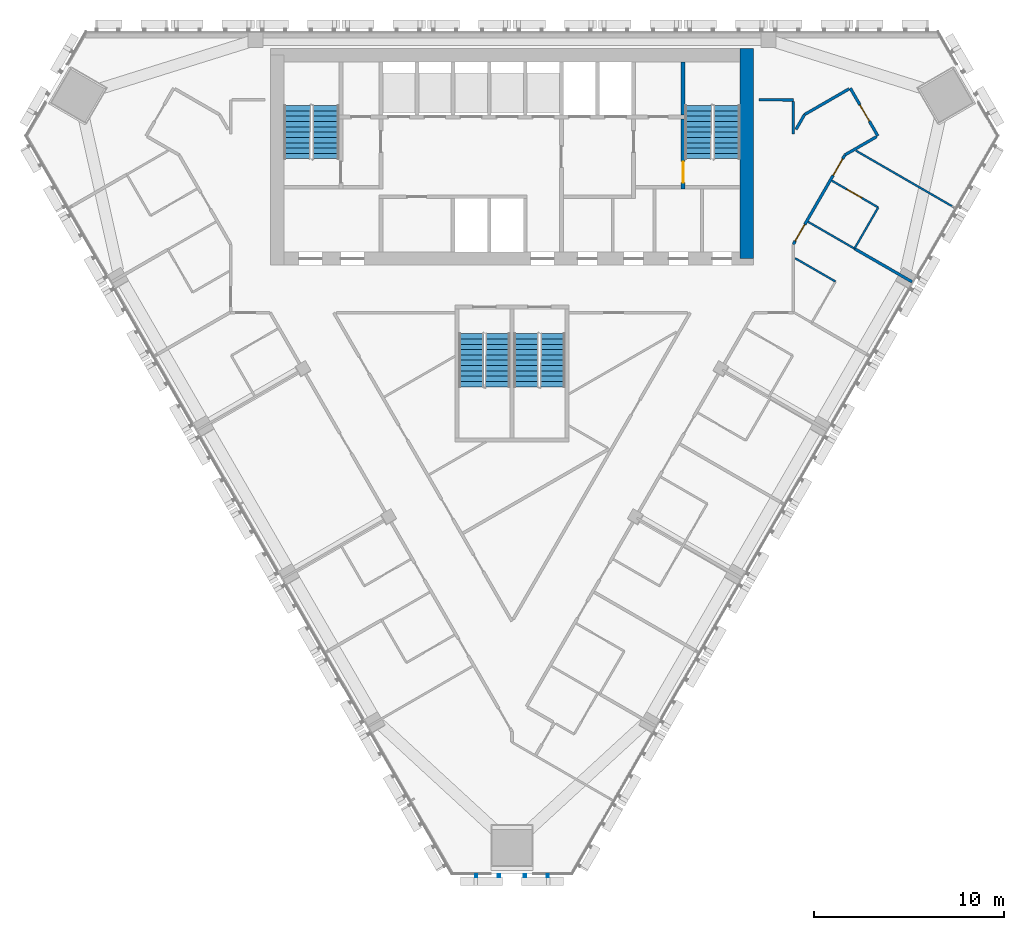
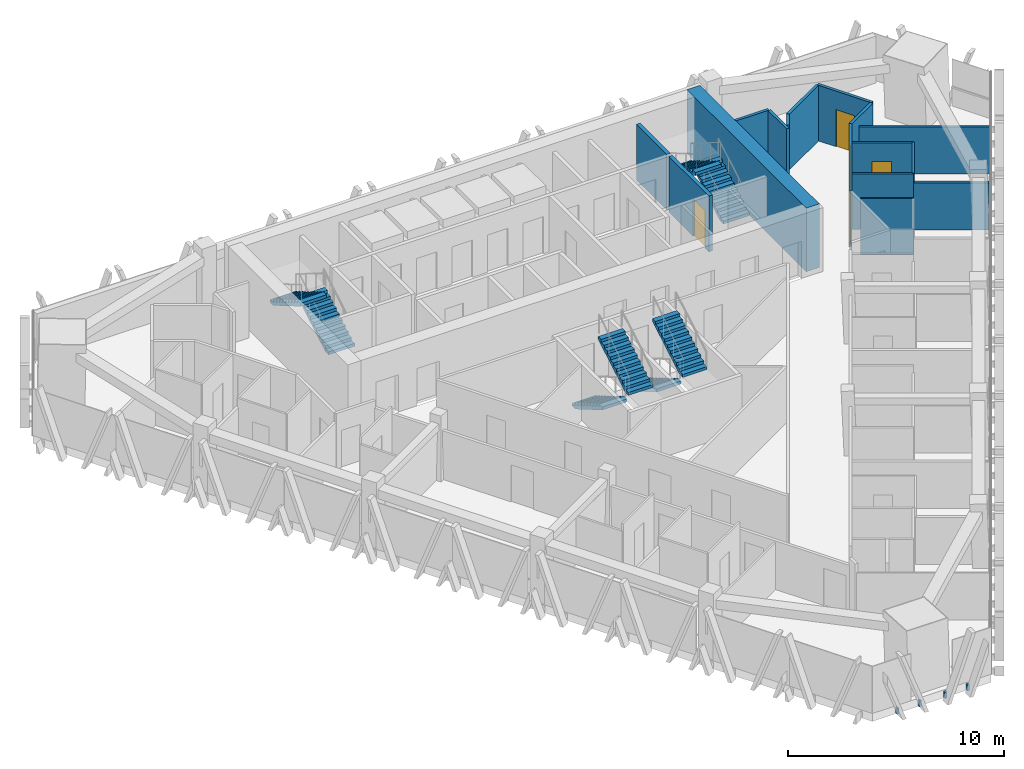
# One storey, part 12 of 16: 16 walls, 8 stair flights, 5 doors, 1 discrete accessory, 5 openings, 4 elements without a shape of their own.
"""IFC4 building model written with IfcOpenShell, lengths in metres."""

from ifc_helpers import new_model, si_unit, direction, frame, frame_2d, origin, place, context, subcontext, project, spatial, polyline, rectangle, outline, extrude, source, transform, mapped, material, layer, layer_set, type_object, element, fill, aggregate, save


model = new_model("IFC4")

# Units and contexts
model_context = context("Model", 3, precision=1e-05, world=origin(), true_north=direction((0.0, 1.0)))
body_context = subcontext(model_context, "Body", "Model", "MODEL_VIEW")
ifc_project = project(units=[si_unit("LENGTHUNIT", "METRE"), si_unit("AREAUNIT", "SQUARE_METRE"), si_unit("VOLUMEUNIT", "CUBIC_METRE"), si_unit("PLANEANGLEUNIT", "RADIAN"), si_unit("MASSUNIT", "GRAM", prefix="KILO")], contexts=[model_context])

# Site, building, storey
site_placement = place(None, origin())
site = spatial("IfcSite", under=ifc_project, at=site_placement, CompositionType="ELEMENT")
building_placement = place(site_placement, origin())
building = spatial("IfcBuilding", under=site, at=building_placement, Name="Altiplano Prism Tower", CompositionType="ELEMENT")
storey_placement = place(building_placement, frame((0.0, 0.0, 198.0)))
storey = spatial("IfcBuildingStorey", under=building, at=storey_placement, Name="L51", CompositionType="ELEMENT", Elevation=198.0)

# Walls
ifc_material_1 = material(Name="Concrete C60/75", Category="concrete")
ifc_layer_1 = layer(ifc_material_1, 0.699951171875)
ifc_layer_set_1 = layer_set([ifc_layer_1], Name="Concrete C60/75")
wall_type_1 = type_object("IfcWallType", Name="Core wall 700", PredefinedType="SHEAR", material=ifc_layer_set_1)
wall_1_placement = place(storey_placement, frame((97.35009765625, 93.050048828125, 0.0), z_axis=(0.0, 0.0, 1.0), x_axis=(0.0, 1.0, 0.0)))
element("IfcWall", 1, at=wall_1_placement, inside=storey, type_object=wall_type_1, Name="Core wall E L51", PredefinedType="SHEAR", context=body_context, shape_type="SweptSolid", body=[
    extrude(rectangle(XDim=11.050048828125, YDim=0.699951171875, at=frame_2d((5.52490234375, 0.0))), origin(), (0.0, 0.0, 1.0), 3.60009765625),
])
ifc_material_2 = material(Name="Plasterboard on steel stud", Category="steel")
ifc_layer_2 = layer(ifc_material_2, 0.10009765625)
ifc_layer_set_2 = layer_set([ifc_layer_2], Name="Plasterboard on steel stud")
wall_type_2 = type_object("IfcWallType", Name="Partition 100 unit", PredefinedType="PARTITIONING", material=ifc_layer_set_2)
wall_2_placement = place(storey_placement, frame((99.89990234375, 93.063720703125, 0.0), z_axis=(0.0, 0.0, 1.0), x_axis=(0.866067636663, -0.499926843373, 0.0)))
element("IfcWall", 2, at=wall_2_placement, inside=storey, type_object=wall_type_2, Name="Partition P02 L51 074", PredefinedType="PARTITIONING", context=body_context, shape_type="SweptSolid", body=[
    extrude(rectangle(XDim=2.447021484375, YDim=0.10009765625, at=frame_2d((1.2236328125, 0.0))), origin(), (0.0, 0.0, 1.0), 3.14990234375),
])

# Wall, opening, door
wall_3_placement = place(storey_placement, frame((101.82275390625, 97.14990234375, 0.0), z_axis=(0.0, 0.0, 1.0), x_axis=(0.866011447264, -0.500024172624, 0.0)))
wall_3 = element("IfcWall", 3, at=wall_3_placement, inside=storey, type_object=wall_type_2, Name="Partition P02 L51 078", PredefinedType="PARTITIONING", context=body_context, shape_type="SweptSolid", body=[
    extrude(rectangle(XDim=2.824951171875, YDim=0.10009765625, at=frame_2d((1.41259765625, 0.0))), origin(), (0.0, 0.0, 1.0), 3.14990234375),
])
opening_1_placement = place(wall_3_placement, frame((0.925048828125, 0.0, 0.0)))
opening_1 = element("IfcOpeningElement", 4, at=opening_1_placement, cuts=wall_3, Name="Opening D1805", PredefinedType="OPENING", context=body_context, shape_type="SweptSolid", body=[
    extrude(rectangle(XDim=0.89990234375, YDim=2.10009765625, at=frame_2d((0.449951171875, 1.050048828125))), frame((0.0, 0.060546875, 0.0), z_axis=(0.0, -1.0, 0.0), x_axis=(1.0, 0.0, 0.0)), (0.0, 0.0, 1.0), 0.12109375),
])
ifc_material_3 = material(Name="Timber", Category="wood")
door_type_1 = type_object("IfcDoorType", Name="Ensuite door 900 x 2100", OperationType="NOTDEFINED", PredefinedType="NOTDEFINED", material=ifc_material_3)
door_1_placement = place(opening_1_placement, origin())
door_1 = element("IfcDoor", 5, at=door_1_placement, inside=storey, type_object=door_type_1, Name="Door D1805", OperationType="SINGLE_SWING_LEFT", OverallHeight=2.10009765625, OverallWidth=0.89990234375, PredefinedType="NOTDEFINED", context=body_context, shape_type="SweptSolid", body=[
    extrude(rectangle(XDim=0.89990234375, YDim=2.10009765625, at=frame_2d((0.449951171875, 1.050048828125))), frame((0.0, 0.02490234375, 0.0), z_axis=(0.0, -1.0, 0.0), x_axis=(1.0, 0.0, 0.0)), (0.0, 0.0, 1.0), 0.050048828125),
])
fill(opening_1, door_1)

# Walls
wall_4_placement = place(storey_placement, frame((104.269287109375, 95.7373046875, 0.0), z_axis=(0.0, 0.0, 1.0), x_axis=(-0.500004234368, -0.866022959057, 0.0)))
element("IfcWall", 6, at=wall_4_placement, inside=storey, type_object=wall_type_2, Name="Partition P02 L51 079", PredefinedType="PARTITIONING", context=body_context, shape_type="SweptSolid", body=[
    extrude(rectangle(XDim=2.5, YDim=0.10009765625, at=frame_2d((1.25, 0.0))), origin(), (0.0, 0.0, 1.0), 3.14990234375),
])
ifc_layer_3 = layer(ifc_material_2, 0.10009765625)
ifc_layer_set_3 = layer_set([ifc_layer_3], Name="Plasterboard on steel stud")
wall_type_3 = type_object("IfcWallType", Name="Partition 100 wet", PredefinedType="PARTITIONING", material=ifc_layer_set_3)
wall_5_placement = place(storey_placement, frame((103.019287109375, 93.572265625, 0.0), z_axis=(0.0, 0.0, 1.0), x_axis=(-0.866011447264, 0.500024172624, 0.0)))
element("IfcWall", 7, at=wall_5_placement, inside=storey, type_object=wall_type_3, Name="Partition P03 L51 077", PredefinedType="PARTITIONING", context=body_context, shape_type="SweptSolid", body=[
    extrude(rectangle(XDim=2.824951171875, YDim=0.10009765625, at=frame_2d((1.41259765625, 0.0))), origin(), (0.0, 0.0, 1.0), 3.14990234375),
])
wall_6_placement = place(storey_placement, frame((108.31787109375, 95.709228515625, 0.0), z_axis=(0.0, 0.0, 1.0), x_axis=(-0.866010137527, 0.500026441001, 0.0)))
element("IfcWall", 8, at=wall_6_placement, inside=storey, type_object=wall_type_3, Name="Partition P03 L51 080", PredefinedType="PARTITIONING", context=body_context, shape_type="SweptSolid", body=[
    extrude(rectangle(XDim=6.025146484375, YDim=0.10009765625, at=frame_2d((3.0126953125, 0.0))), origin(), (0.0, 0.0, 1.0), 2.64990234375),
])

# Wall, openings, doors
ifc_layer_4 = layer(ifc_material_2, 0.14990234375)
ifc_layer_set_4 = layer_set([ifc_layer_4], Name="Plasterboard on steel stud")
wall_type_4 = type_object("IfcWallType", Name="Partition 150 corridor", PredefinedType="PARTITIONING", material=ifc_layer_set_4)
wall_7_placement = place(storey_placement, frame((99.800048828125, 93.796142578125, 0.0), z_axis=(0.0, 0.0, 1.0), x_axis=(0.499972772639, 0.866041122938, 0.0)))
wall_7 = element("IfcWall", 9, at=wall_7_placement, inside=storey, type_object=wall_type_4, Name="Partition P06 L51 014", PredefinedType="PARTITIONING", context=body_context, shape_type="SweptSolid", body=[
    extrude(rectangle(XDim=5.431396484375, YDim=0.14990234375, at=frame_2d((2.7158203125, 0.0))), origin(), (0.0, 0.0, 1.0), 3.14990234375),
])
opening_2_placement = place(wall_7_placement, frame((0.199951171875, 0.0, 0.0)))
opening_2 = element("IfcOpeningElement", 10, at=opening_2_placement, cuts=wall_7, Name="Opening D1802", PredefinedType="OPENING", context=body_context, shape_type="SweptSolid", body=[
    extrude(rectangle(XDim=1.0, YDim=2.10009765625, at=frame_2d((0.5, 1.050048828125))), frame((0.0, 0.08544921875, 0.0), z_axis=(0.0, -1.0, 0.0), x_axis=(1.0, 0.0, 0.0)), (0.0, 0.0, 1.0), 0.1708984375),
])
opening_3_placement = place(wall_7_placement, frame((4.18994140625, 0.0, 0.0)))
opening_3 = element("IfcOpeningElement", 11, at=opening_3_placement, cuts=wall_7, Name="Opening D1804", PredefinedType="OPENING", context=body_context, shape_type="SweptSolid", body=[
    extrude(rectangle(XDim=1.0, YDim=2.10009765625, at=frame_2d((0.5, 1.050048828125))), frame((0.0, 0.08544921875, 0.0), z_axis=(0.0, -1.0, 0.0), x_axis=(1.0, 0.0, 0.0)), (0.0, 0.0, 1.0), 0.1708984375),
])
door_type_2 = type_object("IfcDoorType", Name="Bedroom entrance door 1000 x 2100", OperationType="NOTDEFINED", PredefinedType="NOTDEFINED", material=ifc_material_3)
door_2_placement = place(opening_2_placement, origin())
door_2 = element("IfcDoor", 12, at=door_2_placement, inside=storey, type_object=door_type_2, Name="Door D1802", OperationType="SINGLE_SWING_RIGHT", OverallHeight=2.10009765625, OverallWidth=1.0, PredefinedType="NOTDEFINED", context=body_context, shape_type="SweptSolid", body=[
    extrude(rectangle(XDim=1.0, YDim=2.10009765625, at=frame_2d((0.5, 1.050048828125))), frame((0.0, 0.02490234375, 0.0), z_axis=(0.0, -1.0, 0.0), x_axis=(1.0, 0.0, 0.0)), (0.0, 0.0, 1.0), 0.050048828125),
])
fill(opening_2, door_2)
door_3_placement = place(opening_3_placement, origin())
door_3 = element("IfcDoor", 13, at=door_3_placement, inside=storey, type_object=door_type_2, Name="Door D1804", OperationType="SINGLE_SWING_RIGHT", OverallHeight=2.10009765625, OverallWidth=1.0, PredefinedType="NOTDEFINED", context=body_context, shape_type="SweptSolid", body=[
    extrude(rectangle(XDim=1.0, YDim=2.10009765625, at=frame_2d((0.5, 1.050048828125))), frame((0.0, 0.02490234375, 0.0), z_axis=(0.0, -1.0, 0.0), x_axis=(1.0, 0.0, 0.0)), (0.0, 0.0, 1.0), 0.050048828125),
])
fill(opening_3, door_3)

# Wall
wall_8_placement = place(storey_placement, frame((102.515625, 98.5, 0.0), z_axis=(0.0, 0.0, 1.0), x_axis=(0.86605048973, 0.49995654735, 0.0)))
element("IfcWall", 14, at=wall_8_placement, inside=storey, type_object=wall_type_4, Name="Partition P06 L51 021", PredefinedType="PARTITIONING", context=body_context, shape_type="SweptSolid", body=[
    extrude(rectangle(XDim=1.926025390625, YDim=0.14990234375, at=frame_2d((0.962890625, 0.0))), origin(), (0.0, 0.0, 1.0), 3.14990234375),
])

# Wall, opening, door
wall_9_placement = place(storey_placement, frame((104.24853515625, 99.50048828125, 0.0), z_axis=(0.0, 0.0, 1.0), x_axis=(-0.499987231761, 0.866032775405, 0.0)))
wall_9 = element("IfcWall", 15, at=wall_9_placement, inside=storey, type_object=wall_type_4, Name="Partition P06 L51 022", PredefinedType="PARTITIONING", context=body_context, shape_type="SweptSolid", body=[
    extrude(rectangle(XDim=2.89990234375, YDim=0.14990234375, at=frame_2d((1.449951171875, 0.0))), origin(), (0.0, 0.0, 1.0), 3.14990234375),
])
opening_4_placement = place(wall_9_placement, frame((0.89306640625, 0.0, 0.0)))
opening_4 = element("IfcOpeningElement", 16, at=opening_4_placement, cuts=wall_9, Name="Opening D1807", PredefinedType="OPENING", context=body_context, shape_type="SweptSolid", body=[
    extrude(rectangle(XDim=1.0, YDim=2.10009765625, at=frame_2d((0.5, 1.050048828125))), frame((0.0, 0.08544921875, 0.0), z_axis=(0.0, -1.0, 0.0), x_axis=(1.0, 0.0, 0.0)), (0.0, 0.0, 1.0), 0.1708984375),
])
door_type_3 = type_object("IfcDoorType", Name="Room door 1000 x 2100", OperationType="NOTDEFINED", PredefinedType="NOTDEFINED", material=ifc_material_3)
door_4_placement = place(opening_4_placement, origin())
door_4 = element("IfcDoor", 17, at=door_4_placement, inside=storey, type_object=door_type_3, Name="Door D1807", OperationType="SINGLE_SWING_RIGHT", OverallHeight=2.10009765625, OverallWidth=1.0, PredefinedType="NOTDEFINED", context=body_context, shape_type="SweptSolid", body=[
    extrude(rectangle(XDim=1.0, YDim=2.10009765625, at=frame_2d((0.5, 1.050048828125))), frame((0.0, 0.02490234375, 0.0), z_axis=(0.0, -1.0, 0.0), x_axis=(1.0, 0.0, 0.0)), (0.0, 0.0, 1.0), 0.050048828125),
])
fill(opening_4, door_4)

# Walls
wall_10_placement = place(storey_placement, frame((102.733642578125, 101.974609375, 0.0), z_axis=(0.0, 0.0, 1.0), x_axis=(-0.866173556431, -0.499743304247, 0.0)))
element("IfcWall", 18, at=wall_10_placement, inside=storey, type_object=wall_type_4, Name="Partition P06 L51 023", PredefinedType="PARTITIONING", context=body_context, shape_type="SweptSolid", body=[
    extrude(rectangle(XDim=2.703125, YDim=0.14990234375, at=frame_2d((1.3515625, 0.0))), origin(), (0.0, 0.0, 1.0), 3.14990234375),
])
wall_11_placement = place(storey_placement, frame((100.392333984375, 100.623779296875, 0.0), z_axis=(0.0, 0.0, 1.0), x_axis=(-0.500182949555, -0.865919752041, 0.0)))
element("IfcWall", 19, at=wall_11_placement, inside=storey, type_object=wall_type_4, Name="Partition P06 L51 024", PredefinedType="PARTITIONING", context=body_context, shape_type="SweptSolid", body=[
    extrude(rectangle(XDim=0.902587890625, YDim=0.14990234375, at=frame_2d((0.451171875, 0.0))), origin(), (0.0, 0.0, 1.0), 3.14990234375),
])
wall_12_placement = place(storey_placement, frame((99.801025390625, 99.599853515625, 0.0), z_axis=(0.0, 0.0, 1.0), x_axis=(0.0, 1.0, 0.0)))
element("IfcWall", 20, at=wall_12_placement, inside=storey, type_object=wall_type_4, Name="Partition P06 L51 025", PredefinedType="PARTITIONING", context=body_context, shape_type="SweptSolid", body=[
    extrude(rectangle(XDim=1.72509765625, YDim=0.14990234375, at=frame_2d((0.862548828125, 0.0))), origin(), (0.0, 0.0, 1.0), 3.14990234375),
])
wall_13_placement = place(storey_placement, frame((99.801025390625, 101.39990234375, 0.0), z_axis=(0.0, 0.0, 1.0), x_axis=(-0.999999852996, 0.000542225757, 0.0)))
element("IfcWall", 21, at=wall_13_placement, inside=storey, type_object=wall_type_4, Name="Partition P06 L51 026", PredefinedType="PARTITIONING", context=body_context, shape_type="SweptSolid", body=[
    extrude(rectangle(XDim=1.801025390625, YDim=0.14990234375, at=frame_2d((0.900390625, 0.0))), origin(), (0.0, 0.0, 1.0), 3.14990234375),
])
ifc_layer_5 = layer(ifc_material_2, 0.14990234375)
ifc_layer_set_5 = layer_set([ifc_layer_5], Name="Plasterboard on steel stud")
wall_type_5 = type_object("IfcWallType", Name="Partition 150 party", PredefinedType="PARTITIONING", material=ifc_layer_set_5)
wall_14_placement = place(storey_placement, frame((106.050537109375, 91.822265625, 0.0), z_axis=(0.0, 0.0, 1.0), x_axis=(-0.866036909293, 0.499980071345, 0.0)))
element("IfcWall", 22, at=wall_14_placement, inside=storey, type_object=wall_type_5, Name="Partition P01 L51 076", PredefinedType="PARTITIONING", context=body_context, shape_type="SweptSolid", body=[
    extrude(rectangle(XDim=3.500244140625, YDim=0.14990234375, at=frame_2d((1.75, 0.0))), origin(), (0.0, 0.0, 1.0), 2.64990234375),
])

# Wall, opening, door
ifc_layer_6 = layer(ifc_material_1, 0.199951171875)
ifc_layer_set_6 = layer_set([ifc_layer_6], Name="Concrete C60/75")
wall_type_6 = type_object("IfcWallType", Name="Stair wall 200", PredefinedType="SOLIDWALL", material=ifc_layer_set_6)
wall_15_placement = place(storey_placement, frame((94.0, 96.699951171875, 0.0), z_axis=(0.0, 0.0, 1.0), x_axis=(0.0, 1.0, 0.0)))
wall_15 = element("IfcWall", 23, at=wall_15_placement, inside=storey, type_object=wall_type_6, Name="Stair wall L51", PredefinedType="SOLIDWALL", context=body_context, shape_type="SweptSolid", body=[
    extrude(rectangle(XDim=3.699951171875, YDim=0.199951171875, at=frame_2d((1.85009765625, 0.0))), origin(), (0.0, 0.0, 1.0), 3.14990234375),
])
opening_5_placement = place(wall_15_placement, frame((0.35009765625, 0.0, 0.0)))
opening_5 = element("IfcOpeningElement", 24, at=opening_5_placement, cuts=wall_15, Name="Opening D3283", PredefinedType="OPENING", context=body_context, shape_type="SweptSolid", body=[
    extrude(rectangle(XDim=1.10009765625, YDim=2.10009765625, at=frame_2d((0.550048828125, 1.050048828125))), frame((0.0, 0.1103515625, 0.0), z_axis=(0.0, -1.0, 0.0), x_axis=(1.0, 0.0, 0.0)), (0.0, 0.0, 1.0), 0.220947265625),
])
ifc_material_4 = material(Name="Fire-rated steel door", Category="steel")
door_type_4 = type_object("IfcDoorType", Name="Stair fire door 1100 x 2100", OperationType="NOTDEFINED", PredefinedType="NOTDEFINED", material=ifc_material_4)
door_5_placement = place(opening_5_placement, origin())
door_5 = element("IfcDoor", 25, at=door_5_placement, inside=storey, type_object=door_type_4, Name="Stair fire door D3283", OperationType="SINGLE_SWING_LEFT", OverallHeight=2.10009765625, OverallWidth=1.10009765625, PredefinedType="NOTDEFINED", context=body_context, shape_type="SweptSolid", body=[
    extrude(rectangle(XDim=1.10009765625, YDim=2.10009765625, at=frame_2d((0.550048828125, 1.050048828125))), frame((0.0, 0.02490234375, 0.0), z_axis=(0.0, -1.0, 0.0), x_axis=(1.0, 0.0, 0.0)), (0.0, 0.0, 1.0), 0.050048828125),
])
fill(opening_5, door_5)

# Wall
wall_16_placement = place(storey_placement, frame((94.0, 100.60009765625, 0.0), z_axis=(0.0, 0.0, 1.0), x_axis=(0.0, 1.0, 0.0)))
element("IfcWall", 26, at=wall_16_placement, inside=storey, type_object=wall_type_6, Name="Stair wall L51", PredefinedType="SOLIDWALL", context=body_context, shape_type="SweptSolid", body=[
    extrude(rectangle(XDim=2.7998046875, YDim=0.199951171875, at=frame_2d((1.39990234375, 0.0))), origin(), (0.0, 0.0, 1.0), 3.14990234375),
])

# Stair, stair flights
ifc_material_5 = material(Name="Concrete C40/50", Category="concrete")
stair_type_1 = type_object("IfcStairType", Name="Exit stair 1400", PredefinedType="HALF_TURN_STAIR", material=ifc_material_5)
stair_1_placement = place(storey_placement, origin())
stair_1 = element("IfcStair", 27, at=stair_1_placement, inside=storey, type_object=stair_type_1, Name="L51 Exit Stair 1", PredefinedType="HALF_TURN_STAIR")
stair_flight_type = type_object("IfcStairFlightType", Name="Stair flight concrete 150", PredefinedType="STRAIGHT", material=ifc_material_5)
stair_flight_1_placement = place(storey_placement, frame((75.199951171875, 98.300048828125, 0.0), z_axis=(0.0, 0.0, 1.0), x_axis=(0.0, 1.0, 0.0)))
stair_flight_1 = element("IfcStairFlight", 28, at=stair_flight_1_placement, type_object=stair_flight_type, Name="ST1 flight 1", NumberOfRisers=11, NumberOfTreads=10, PredefinedType="STRAIGHT", RiserHeight=0.163636364, TreadLength=0.28, context=body_context, shape_type="SweptSolid", body=[
    extrude(outline(polyline([(0.0, 0.0), (0.0, 0.16357421875), (0.280029296875, 0.16357421875), (0.280029296875, 0.327392578125), (0.56005859375, 0.327392578125), (0.56005859375, 0.490966796875), (0.840087890625, 0.490966796875), (0.840087890625, 0.654541015625), (1.1201171875, 0.654541015625), (1.1201171875, 0.818115234375), (1.39990234375, 0.818115234375), (1.39990234375, 0.98193359375), (1.679931640625, 0.98193359375), (1.679931640625, 1.1455078125), (1.9599609375, 1.1455078125), (1.9599609375, 1.30908203125), (2.239990234375, 1.30908203125), (2.239990234375, 1.47265625), (2.52001953125, 1.47265625), (2.52001953125, 1.636474609375), (2.800048828125, 1.636474609375), (2.800048828125, 1.800048828125), (2.800048828125, 1.462646484375), (0.297119140625, 0.0), (0.0, 0.0)])), frame((0.0, 0.699951171875, 0.0), z_axis=(0.0, -1.0, 0.0), x_axis=(1.0, 0.0, 0.0)), (0.0, 0.0, 1.0), 1.39990234375),
])
stair_flight_2_placement = place(storey_placement, frame((73.699951171875, 101.10009765625, 1.800048828125), z_axis=(0.0, 0.0, 1.0), x_axis=(0.0, -1.0, 0.0)))
stair_flight_2 = element("IfcStairFlight", 29, at=stair_flight_2_placement, type_object=stair_flight_type, Name="ST1 flight 2", NumberOfRisers=11, NumberOfTreads=10, PredefinedType="STRAIGHT", RiserHeight=0.163636364, TreadLength=0.28, context=body_context, shape_type="SweptSolid", body=[
    extrude(outline(polyline([(0.0, 0.0), (0.0, 0.16357421875), (0.280029296875, 0.16357421875), (0.280029296875, 0.327392578125), (0.56005859375, 0.327392578125), (0.56005859375, 0.490966796875), (0.840087890625, 0.490966796875), (0.840087890625, 0.654541015625), (1.1201171875, 0.654541015625), (1.1201171875, 0.818115234375), (1.39990234375, 0.818115234375), (1.39990234375, 0.98193359375), (1.679931640625, 0.98193359375), (1.679931640625, 1.1455078125), (1.9599609375, 1.1455078125), (1.9599609375, 1.30908203125), (2.239990234375, 1.30908203125), (2.239990234375, 1.47265625), (2.52001953125, 1.47265625), (2.52001953125, 1.636474609375), (2.800048828125, 1.636474609375), (2.800048828125, 1.800048828125), (2.800048828125, 1.462646484375), (0.297119140625, 0.0), (0.0, 0.0)])), frame((0.0, 0.699951171875, 0.0), z_axis=(0.0, -1.0, 0.0), x_axis=(1.0, 0.0, 0.0)), (0.0, 0.0, 1.0), 1.39990234375),
])
aggregate(stair_1, [stair_flight_1, stair_flight_2])

stair_2_placement = place(storey_placement, origin())
stair_2 = element("IfcStair", 30, at=stair_2_placement, inside=storey, type_object=stair_type_1, Name="L51 Exit Stair 2", PredefinedType="HALF_TURN_STAIR")
stair_flight_3_placement = place(storey_placement, frame((96.300048828125, 98.300048828125, 0.0), z_axis=(0.0, 0.0, 1.0), x_axis=(0.0, 1.0, 0.0)))
stair_flight_3 = element("IfcStairFlight", 31, at=stair_flight_3_placement, type_object=stair_flight_type, Name="ST2 flight 1", NumberOfRisers=11, NumberOfTreads=10, PredefinedType="STRAIGHT", RiserHeight=0.163636364, TreadLength=0.28, context=body_context, shape_type="SweptSolid", body=[
    extrude(outline(polyline([(0.0, 0.0), (0.0, 0.16357421875), (0.280029296875, 0.16357421875), (0.280029296875, 0.327392578125), (0.56005859375, 0.327392578125), (0.56005859375, 0.490966796875), (0.840087890625, 0.490966796875), (0.840087890625, 0.654541015625), (1.1201171875, 0.654541015625), (1.1201171875, 0.818115234375), (1.39990234375, 0.818115234375), (1.39990234375, 0.98193359375), (1.679931640625, 0.98193359375), (1.679931640625, 1.1455078125), (1.9599609375, 1.1455078125), (1.9599609375, 1.30908203125), (2.239990234375, 1.30908203125), (2.239990234375, 1.47265625), (2.52001953125, 1.47265625), (2.52001953125, 1.636474609375), (2.800048828125, 1.636474609375), (2.800048828125, 1.800048828125), (2.800048828125, 1.462646484375), (0.297119140625, 0.0), (0.0, 0.0)])), frame((0.0, 0.699951171875, 0.0), z_axis=(0.0, -1.0, 0.0), x_axis=(1.0, 0.0, 0.0)), (0.0, 0.0, 1.0), 1.39990234375),
])
stair_flight_4_placement = place(storey_placement, frame((94.800048828125, 101.10009765625, 1.800048828125), z_axis=(0.0, 0.0, 1.0), x_axis=(0.0, -1.0, 0.0)))
stair_flight_4 = element("IfcStairFlight", 32, at=stair_flight_4_placement, type_object=stair_flight_type, Name="ST2 flight 2", NumberOfRisers=11, NumberOfTreads=10, PredefinedType="STRAIGHT", RiserHeight=0.163636364, TreadLength=0.28, context=body_context, shape_type="SweptSolid", body=[
    extrude(outline(polyline([(0.0, 0.0), (0.0, 0.16357421875), (0.280029296875, 0.16357421875), (0.280029296875, 0.327392578125), (0.56005859375, 0.327392578125), (0.56005859375, 0.490966796875), (0.840087890625, 0.490966796875), (0.840087890625, 0.654541015625), (1.1201171875, 0.654541015625), (1.1201171875, 0.818115234375), (1.39990234375, 0.818115234375), (1.39990234375, 0.98193359375), (1.679931640625, 0.98193359375), (1.679931640625, 1.1455078125), (1.9599609375, 1.1455078125), (1.9599609375, 1.30908203125), (2.239990234375, 1.30908203125), (2.239990234375, 1.47265625), (2.52001953125, 1.47265625), (2.52001953125, 1.636474609375), (2.800048828125, 1.636474609375), (2.800048828125, 1.800048828125), (2.800048828125, 1.462646484375), (0.297119140625, 0.0), (0.0, 0.0)])), frame((0.0, 0.699951171875, 0.0), z_axis=(0.0, -1.0, 0.0), x_axis=(1.0, 0.0, 0.0)), (0.0, 0.0, 1.0), 1.39990234375),
])
aggregate(stair_2, [stair_flight_3, stair_flight_4])

stair_type_2 = type_object("IfcStairType", Name="Exit stair 1300", PredefinedType="HALF_TURN_STAIR", material=ifc_material_5)
stair_3_placement = place(storey_placement, origin())
stair_3 = element("IfcStair", 33, at=stair_3_placement, inside=storey, type_object=stair_type_2, Name="L51 Exit Stair 3A", PredefinedType="HALF_TURN_STAIR")
stair_flight_5_placement = place(storey_placement, frame((82.85009765625, 89.10009765625, 0.0), z_axis=(0.0, 0.0, 1.0), x_axis=(0.0, -1.0, 0.0)))
stair_flight_5 = element("IfcStairFlight", 34, at=stair_flight_5_placement, type_object=stair_flight_type, Name="ST3A flight 1", NumberOfRisers=11, NumberOfTreads=10, PredefinedType="STRAIGHT", RiserHeight=0.163636364, TreadLength=0.28, context=body_context, shape_type="SweptSolid", body=[
    extrude(outline(polyline([(0.0, 0.0), (0.0, 0.16357421875), (0.280029296875, 0.16357421875), (0.280029296875, 0.327392578125), (0.56005859375, 0.327392578125), (0.56005859375, 0.490966796875), (0.840087890625, 0.490966796875), (0.840087890625, 0.654541015625), (1.1201171875, 0.654541015625), (1.1201171875, 0.818115234375), (1.39990234375, 0.818115234375), (1.39990234375, 0.98193359375), (1.679931640625, 0.98193359375), (1.679931640625, 1.1455078125), (1.9599609375, 1.1455078125), (1.9599609375, 1.30908203125), (2.239990234375, 1.30908203125), (2.239990234375, 1.47265625), (2.52001953125, 1.47265625), (2.52001953125, 1.636474609375), (2.800048828125, 1.636474609375), (2.800048828125, 1.800048828125), (2.800048828125, 1.462646484375), (0.297119140625, 0.0), (0.0, 0.0)])), frame((0.0, 0.64990234375, 0.0), z_axis=(0.0, -1.0, 0.0), x_axis=(1.0, 0.0, 0.0)), (0.0, 0.0, 1.0), 1.300048828125),
])
stair_flight_6_placement = place(storey_placement, frame((84.25, 86.300048828125, 1.800048828125), z_axis=(0.0, 0.0, 1.0), x_axis=(0.0, 1.0, 0.0)))
stair_flight_6 = element("IfcStairFlight", 35, at=stair_flight_6_placement, type_object=stair_flight_type, Name="ST3A flight 2", NumberOfRisers=11, NumberOfTreads=10, PredefinedType="STRAIGHT", RiserHeight=0.163636364, TreadLength=0.28, context=body_context, shape_type="SweptSolid", body=[
    extrude(outline(polyline([(0.0, 0.0), (0.0, 0.16357421875), (0.280029296875, 0.16357421875), (0.280029296875, 0.327392578125), (0.56005859375, 0.327392578125), (0.56005859375, 0.490966796875), (0.840087890625, 0.490966796875), (0.840087890625, 0.654541015625), (1.1201171875, 0.654541015625), (1.1201171875, 0.818115234375), (1.39990234375, 0.818115234375), (1.39990234375, 0.98193359375), (1.679931640625, 0.98193359375), (1.679931640625, 1.1455078125), (1.9599609375, 1.1455078125), (1.9599609375, 1.30908203125), (2.239990234375, 1.30908203125), (2.239990234375, 1.47265625), (2.52001953125, 1.47265625), (2.52001953125, 1.636474609375), (2.800048828125, 1.636474609375), (2.800048828125, 1.800048828125), (2.800048828125, 1.462646484375), (0.297119140625, 0.0), (0.0, 0.0)])), frame((0.0, 0.64990234375, 0.0), z_axis=(0.0, -1.0, 0.0), x_axis=(1.0, 0.0, 0.0)), (0.0, 0.0, 1.0), 1.300048828125),
])
aggregate(stair_3, [stair_flight_5, stair_flight_6])

stair_4_placement = place(storey_placement, origin())
stair_4 = element("IfcStair", 36, at=stair_4_placement, inside=storey, type_object=stair_type_2, Name="L51 Exit Stair 3B", PredefinedType="HALF_TURN_STAIR")
stair_flight_7_placement = place(storey_placement, frame((85.75, 89.10009765625, 0.0), z_axis=(0.0, 0.0, 1.0), x_axis=(0.0, -1.0, 0.0)))
stair_flight_7 = element("IfcStairFlight", 37, at=stair_flight_7_placement, type_object=stair_flight_type, Name="ST3B flight 1", NumberOfRisers=11, NumberOfTreads=10, PredefinedType="STRAIGHT", RiserHeight=0.163636364, TreadLength=0.28, context=body_context, shape_type="SweptSolid", body=[
    extrude(outline(polyline([(0.0, 0.0), (0.0, 0.16357421875), (0.280029296875, 0.16357421875), (0.280029296875, 0.327392578125), (0.56005859375, 0.327392578125), (0.56005859375, 0.490966796875), (0.840087890625, 0.490966796875), (0.840087890625, 0.654541015625), (1.1201171875, 0.654541015625), (1.1201171875, 0.818115234375), (1.39990234375, 0.818115234375), (1.39990234375, 0.98193359375), (1.679931640625, 0.98193359375), (1.679931640625, 1.1455078125), (1.9599609375, 1.1455078125), (1.9599609375, 1.30908203125), (2.239990234375, 1.30908203125), (2.239990234375, 1.47265625), (2.52001953125, 1.47265625), (2.52001953125, 1.636474609375), (2.800048828125, 1.636474609375), (2.800048828125, 1.800048828125), (2.800048828125, 1.462646484375), (0.297119140625, 0.0), (0.0, 0.0)])), frame((0.0, 0.64990234375, 0.0), z_axis=(0.0, -1.0, 0.0), x_axis=(1.0, 0.0, 0.0)), (0.0, 0.0, 1.0), 1.300048828125),
])
stair_flight_8_placement = place(storey_placement, frame((87.14990234375, 86.300048828125, 1.800048828125), z_axis=(0.0, 0.0, 1.0), x_axis=(0.0, 1.0, 0.0)))
stair_flight_8 = element("IfcStairFlight", 38, at=stair_flight_8_placement, type_object=stair_flight_type, Name="ST3B flight 2", NumberOfRisers=11, NumberOfTreads=10, PredefinedType="STRAIGHT", RiserHeight=0.163636364, TreadLength=0.28, context=body_context, shape_type="SweptSolid", body=[
    extrude(outline(polyline([(0.0, 0.0), (0.0, 0.16357421875), (0.280029296875, 0.16357421875), (0.280029296875, 0.327392578125), (0.56005859375, 0.327392578125), (0.56005859375, 0.490966796875), (0.840087890625, 0.490966796875), (0.840087890625, 0.654541015625), (1.1201171875, 0.654541015625), (1.1201171875, 0.818115234375), (1.39990234375, 0.818115234375), (1.39990234375, 0.98193359375), (1.679931640625, 0.98193359375), (1.679931640625, 1.1455078125), (1.9599609375, 1.1455078125), (1.9599609375, 1.30908203125), (2.239990234375, 1.30908203125), (2.239990234375, 1.47265625), (2.52001953125, 1.47265625), (2.52001953125, 1.636474609375), (2.800048828125, 1.636474609375), (2.800048828125, 1.800048828125), (2.800048828125, 1.462646484375), (0.297119140625, 0.0), (0.0, 0.0)])), frame((0.0, 0.64990234375, 0.0), z_axis=(0.0, -1.0, 0.0), x_axis=(1.0, 0.0, 0.0)), (0.0, 0.0, 1.0), 1.300048828125),
])
aggregate(stair_4, [stair_flight_7, stair_flight_8])

# Discrete accessory
ifc_material_6 = material(Name="Stainless steel", Category="steel")
discrete_accessory_type = type_object("IfcDiscreteAccessoryType", Name="Stone fin fixing prongs", PredefinedType="USERDEFINED", material=ifc_material_6)
shared_shape = source(origin(), body_context, "Body", "SweptSolid", [
    extrude(outline(polyline([(-1.94189453125, 0.06005859375), (-1.822021484375, 0.06005859375), (-1.822021484375, 0.389892578125), (-1.94189453125, 0.389892578125), (-1.94189453125, 0.06005859375)])), frame((0.0, 0.0, 0.0), z_axis=(0.0, -1.0, 0.0), x_axis=(1.0, 0.0, 0.0)), (0.0, 0.0, 1.0), 0.14990234375),
    extrude(outline(polyline([(-0.741943359375, 0.06005859375), (-0.621826171875, 0.06005859375), (-0.621826171875, 0.389892578125), (-0.741943359375, 0.389892578125), (-0.741943359375, 0.06005859375)])), frame((0.0, 0.0, 0.0), z_axis=(0.0, -1.0, 0.0), x_axis=(1.0, 0.0, 0.0)), (0.0, 0.0, 1.0), 0.14990234375),
    extrude(outline(polyline([(0.621826171875, 0.06005859375), (0.741943359375, 0.06005859375), (0.741943359375, 0.389892578125), (0.621826171875, 0.389892578125), (0.621826171875, 0.06005859375)])), frame((0.0, 0.0, 0.0), z_axis=(0.0, -1.0, 0.0), x_axis=(1.0, 0.0, 0.0)), (0.0, 0.0, 1.0), 0.14990234375),
    extrude(outline(polyline([(1.822021484375, 0.06005859375), (1.94189453125, 0.06005859375), (1.94189453125, 0.389892578125), (1.822021484375, 0.389892578125), (1.822021484375, 0.06005859375)])), frame((0.0, 0.0, 0.0), z_axis=(0.0, -1.0, 0.0), x_axis=(1.0, 0.0, 0.0)), (0.0, 0.0, 1.0), 0.14990234375),
])
discrete_accessory_placement = place(storey_placement, origin())
element("IfcDiscreteAccessory", 39, at=discrete_accessory_placement, inside=storey, type_object=discrete_accessory_type, Name="Fin fixings L51 south chamfer", ObjectType="BRACKET", PredefinedType="USERDEFINED", context=body_context, shape_type="MappedRepresentation", body=[
    mapped(shared_shape, transform((85.0, 60.65576171875, -0.449951171875), x_axis=(1.0, 0.0, 0.0), y_axis=(0.0, 1.0, 0.0), z_axis=(0.0, 0.0, 1.0))),
])

save(model, "model.ifc")
